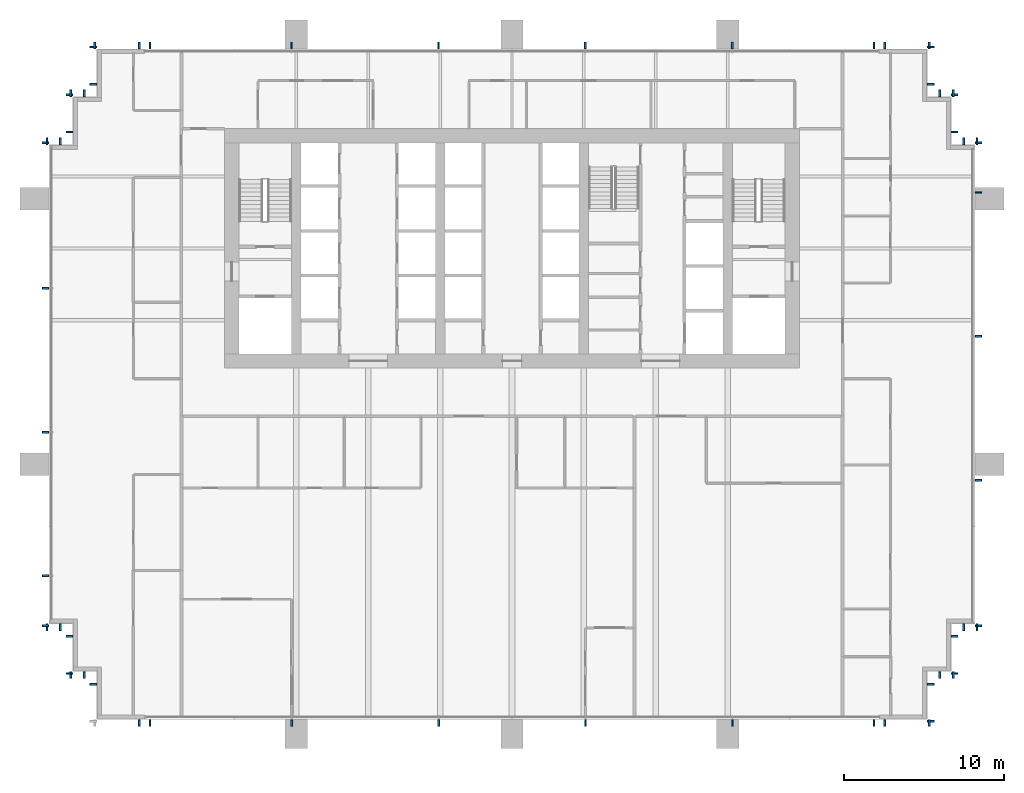
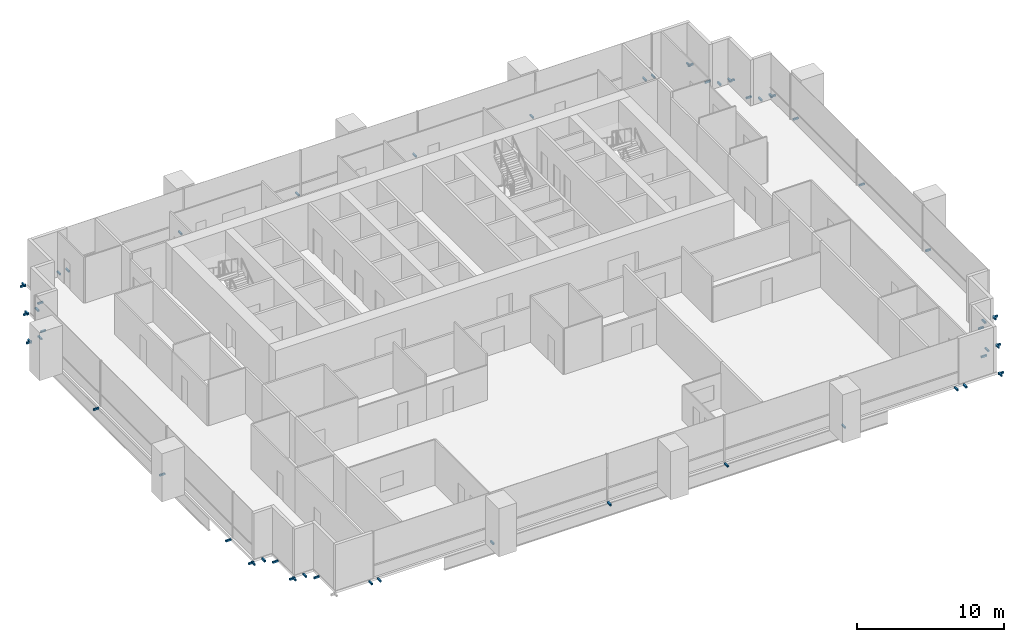
# One storey, part 15 of 16: 60 discrete accessories.
"""IFC4 building model written with IfcOpenShell, lengths in metres."""

from ifc_helpers import new_model, si_unit, direction, frame, origin, origin_2d, place, context, subcontext, project, spatial, rectangle, extrude, element, save


model = new_model("IFC4")

# Units and contexts
model_context = context("Model", 3, precision=1e-05, world=origin(), true_north=direction((0.0, 1.0)))
body_context = subcontext(model_context, "Body", "Model", "MODEL_VIEW")
ifc_project = project(units=[si_unit("LENGTHUNIT", "METRE"), si_unit("AREAUNIT", "SQUARE_METRE"), si_unit("VOLUMEUNIT", "CUBIC_METRE"), si_unit("PLANEANGLEUNIT", "RADIAN"), si_unit("MASSUNIT", "GRAM", prefix="KILO")], contexts=[model_context])

# Site, building, storey
site_placement = place(None, origin())
site = spatial("IfcSite", under=ifc_project, at=site_placement, CompositionType="ELEMENT")
building_placement = place(site_placement, origin())
building = spatial("IfcBuilding", under=site, at=building_placement, Name="Rattan Terrace Tower", CompositionType="ELEMENT")
storey_placement = place(building_placement, frame((0.0, 0.0, 130.10009765625)))
storey = spatial("IfcBuildingStorey", under=building, at=storey_placement, Name="L29", CompositionType="ELEMENT", Elevation=130.10009765625)

# Discrete accessories
for number, where, z_axis, x_axis, name in (
    (1, (23.340087890625, -29.7099609375, -0.169921875), (0.0, 0.0, 1.0), (1.0, 0.0, 0.0), "Panel bracket L29-1"),
    (2, (26.110107421875, -29.7099609375, -0.169921875), (0.0, 0.0, 1.0), (1.0, 0.0, 0.0), "Panel bracket L29-2"),
    (3, (26.2099609375, -29.610107421875, -0.169921875), (0.0, 0.0, 1.0), (0.0, 1.0, 0.0), "Panel bracket L29-3"),
    (4, (26.2099609375, -27.2900390625, -0.169921875), (0.0, 0.0, 1.0), (0.0, 1.0, 0.0), "Panel bracket L29-4"),
    (5, (26.7900390625, -26.7099609375, -0.169921875), (0.0, 0.0, 1.0), (1.0, 0.0, 0.0), "Panel bracket L29-5"),
    (6, (27.610107421875, -26.7099609375, -0.169921875), (0.0, 0.0, 1.0), (1.0, 0.0, 0.0), "Panel bracket L29-6"),
    (7, (27.7099609375, -26.610107421875, -0.169921875), (0.0, 0.0, 1.0), (0.0, 1.0, 0.0), "Panel bracket L29-7"),
    (8, (27.7099609375, -24.2900390625, -0.169921875), (0.0, 0.0, 1.0), (0.0, 1.0, 0.0), "Panel bracket L29-8"),
    (9, (28.2900390625, -23.7099609375, -0.169921875), (0.0, 0.0, 1.0), (1.0, 0.0, 0.0), "Panel bracket L29-9"),
    (10, (29.110107421875, -23.7099609375, -0.169921875), (0.0, 0.0, 1.0), (1.0, 0.0, 0.0), "Panel bracket L29-10"),
    (11, (29.2099609375, -23.610107421875, -0.169921875), (0.0, 0.0, 1.0), (0.0, 1.0, 0.0), "Panel bracket L29-11"),
    (12, (29.2099609375, -14.5, -0.169921875), (0.0, 0.0, 1.0), (0.0, 1.0, 0.0), "Panel bracket L29-12"),
    (13, (29.2099609375, -5.5, -0.169921875), (0.0, 0.0, 1.0), (0.0, 1.0, 0.0), "Panel bracket L29-13"),
    (14, (29.2099609375, 3.5, -0.169921875), (0.0, 0.0, 1.0), (0.0, 1.0, 0.0), "Panel bracket L29-14"),
    (15, (29.2099609375, 6.610107421875, -0.169921875), (0.0, 0.0, 1.0), (0.0, 1.0, 0.0), "Panel bracket L29-15"),
    (16, (29.110107421875, 6.7099609375, -0.169921875), (0.0, 0.0, 1.0), (-1.0, 0.0, 0.0), "Panel bracket L29-16"),
    (17, (28.2900390625, 6.7099609375, -0.169921875), (0.0, 0.0, 1.0), (-1.0, 0.0, 0.0), "Panel bracket L29-17"),
    (18, (27.7099609375, 7.2900390625, -0.169921875), (0.0, 0.0, 1.0), (0.0, 1.0, 0.0), "Panel bracket L29-18"),
    (19, (27.7099609375, 9.610107421875, -0.169921875), (0.0, 0.0, 1.0), (0.0, 1.0, 0.0), "Panel bracket L29-19"),
    (20, (27.610107421875, 9.7099609375, -0.169921875), (0.0, 0.0, 1.0), (-1.0, 0.0, 0.0), "Panel bracket L29-20"),
    (21, (26.7900390625, 9.7099609375, -0.169921875), (0.0, 0.0, 1.0), (-1.0, 0.0, 0.0), "Panel bracket L29-21"),
    (22, (26.2099609375, 10.2900390625, -0.169921875), (0.0, 0.0, 1.0), (0.0, 1.0, 0.0), "Panel bracket L29-22"),
    (23, (26.2099609375, 12.610107421875, -0.169921875), (0.0, 0.0, 1.0), (0.0, 1.0, 0.0), "Panel bracket L29-23"),
    (24, (26.110107421875, 12.7099609375, -0.169921875), (0.0, 0.0, 1.0), (-1.0, 0.0, 0.0), "Panel bracket L29-24"),
    (25, (23.340087890625, 12.7099609375, -0.169921875), (0.0, 0.0, 1.0), (-1.0, 0.0, 0.0), "Panel bracket L29-25"),
    (26, (22.659912109375, 12.7099609375, -0.169921875), (0.0, 0.0, 1.0), (-1.0, 0.0, 0.0), "Panel bracket L29-26"),
    (27, (13.799072265625, 12.7099609375, -0.169921875), (0.0, 0.0, 1.0), (-1.0, 0.0, 0.0), "Panel bracket L29-27"),
    (28, (4.597900390625, 12.7099609375, -0.169921875), (0.0, 0.0, 1.0), (-1.0, 0.0, 0.0), "Panel bracket L29-28"),
    (29, (-4.60302734375, 12.7099609375, -0.169921875), (0.0, 0.0, 1.0), (-1.0, 0.0, 0.0), "Panel bracket L29-29"),
    (30, (-13.803955078125, 12.7099609375, -0.169921875), (0.0, 0.0, 1.0), (-1.0, 0.0, 0.0), "Panel bracket L29-30"),
    (31, (-22.659912109375, 12.7099609375, -0.169921875), (0.0, 0.0, 1.0), (-1.0, 0.0, 0.0), "Panel bracket L29-31"),
    (32, (-23.340087890625, 12.7099609375, -0.169921875), (0.0, 0.0, 1.0), (-1.0, 0.0, 0.0), "Panel bracket L29-32"),
    (33, (-26.110107421875, 12.7099609375, -0.169921875), (0.0, 0.0, 1.0), (-1.0, 0.0, 0.0), "Panel bracket L29-33"),
    (34, (-26.2099609375, 12.610107421875, -0.169921875), (0.0, 0.0, 1.0), (0.0, -1.0, 0.0), "Panel bracket L29-34"),
    (35, (-26.2099609375, 10.2900390625, -0.169921875), (0.0, 0.0, 1.0), (0.0, -1.0, 0.0), "Panel bracket L29-35"),
    (36, (-26.7900390625, 9.7099609375, -0.169921875), (0.0, 0.0, 1.0), (-1.0, 0.0, 0.0), "Panel bracket L29-36"),
    (37, (-27.610107421875, 9.7099609375, -0.169921875), (0.0, 0.0, 1.0), (-1.0, 0.0, 0.0), "Panel bracket L29-37"),
    (38, (-27.7099609375, 9.610107421875, -0.169921875), (0.0, 0.0, 1.0), (0.0, -1.0, 0.0), "Panel bracket L29-38"),
    (39, (-27.7099609375, 7.2900390625, -0.169921875), (0.0, 0.0, 1.0), (0.0, -1.0, 0.0), "Panel bracket L29-39"),
    (40, (-28.2900390625, 6.7099609375, -0.169921875), (0.0, 0.0, 1.0), (-1.0, 0.0, 0.0), "Panel bracket L29-40"),
    (41, (-29.110107421875, 6.7099609375, -0.169921875), (0.0, 0.0, 1.0), (-1.0, 0.0, 0.0), "Panel bracket L29-41"),
    (42, (-29.2099609375, 6.610107421875, -0.169921875), (0.0, 0.0, 1.0), (0.0, -1.0, 0.0), "Panel bracket L29-42"),
    (43, (-29.2099609375, -2.5, -0.169921875), (0.0, 0.0, 1.0), (0.0, -1.0, 0.0), "Panel bracket L29-43"),
    (44, (-29.2099609375, -11.5, -0.169921875), (0.0, 0.0, 1.0), (0.0, -1.0, 0.0), "Panel bracket L29-44"),
    (45, (-29.2099609375, -20.5, -0.169921875), (0.0, 0.0, 1.0), (0.0, -1.0, 0.0), "Panel bracket L29-45"),
    (46, (-29.2099609375, -23.610107421875, -0.169921875), (0.0, 0.0, 1.0), (0.0, -1.0, 0.0), "Panel bracket L29-46"),
    (47, (-29.110107421875, -23.7099609375, -0.169921875), (0.0, 0.0, 1.0), (1.0, 0.0, 0.0), "Panel bracket L29-47"),
    (48, (-28.2900390625, -23.7099609375, -0.169921875), (0.0, 0.0, 1.0), (1.0, 0.0, 0.0), "Panel bracket L29-48"),
    (49, (-27.7099609375, -24.2900390625, -0.169921875), (0.0, 0.0, 1.0), (0.0, -1.0, 0.0), "Panel bracket L29-49"),
    (50, (-27.7099609375, -26.610107421875, -0.169921875), (0.0, 0.0, 1.0), (0.0, -1.0, 0.0), "Panel bracket L29-50"),
    (51, (-27.610107421875, -26.7099609375, -0.169921875), (0.0, 0.0, 1.0), (1.0, 0.0, 0.0), "Panel bracket L29-51"),
    (52, (-26.7900390625, -26.7099609375, -0.169921875), (0.0, 0.0, 1.0), (1.0, 0.0, 0.0), "Panel bracket L29-52"),
    (53, (-26.2099609375, -27.2900390625, -0.169921875), (0.0, 0.0, 1.0), (0.0, -1.0, 0.0), "Panel bracket L29-53"),
    (54, (-23.340087890625, -29.7099609375, -0.169921875), (0.0, 0.0, 1.0), (1.0, 0.0, 0.0), "Panel bracket L29-56"),
    (55, (-22.659912109375, -29.7099609375, -0.169921875), (0.0, 0.0, 1.0), (1.0, 0.0, 0.0), "Panel bracket L29-57"),
    (56, (-13.799072265625, -29.7099609375, -0.169921875), (0.0, 0.0, 1.0), (1.0, 0.0, 0.0), "Panel bracket L29-58"),
    (57, (-4.597900390625, -29.7099609375, -0.169921875), (0.0, 0.0, 1.0), (1.0, 0.0, 0.0), "Panel bracket L29-59"),
    (58, (4.60302734375, -29.7099609375, -0.169921875), (0.0, 0.0, 1.0), (1.0, 0.0, 0.0), "Panel bracket L29-60"),
    (59, (13.803955078125, -29.7099609375, -0.169921875), (0.0, 0.0, 1.0), (1.0, 0.0, 0.0), "Panel bracket L29-61"),
    (60, (22.659912109375, -29.7099609375, -0.169921875), (0.0, 0.0, 1.0), (1.0, 0.0, 0.0), "Panel bracket L29-62"),
):
    element("IfcDiscreteAccessory", number, at=place(storey_placement, frame(where, z_axis=z_axis, x_axis=x_axis)), inside=storey, Name=name, PredefinedType="BRACKET", context=body_context, shape_type="SweptSolid", body=[
        extrude(rectangle(XDim=0.1201171875, YDim=0.419921875, at=origin_2d()), origin(), (0.0, 0.0, 1.0), 0.139892578125),
    ])

save(model, "model.ifc")
